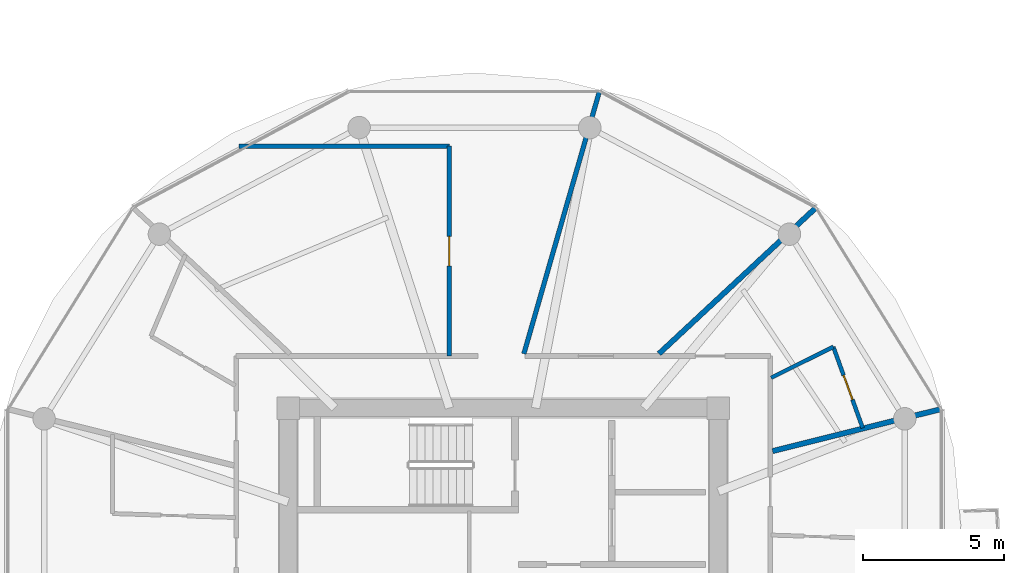
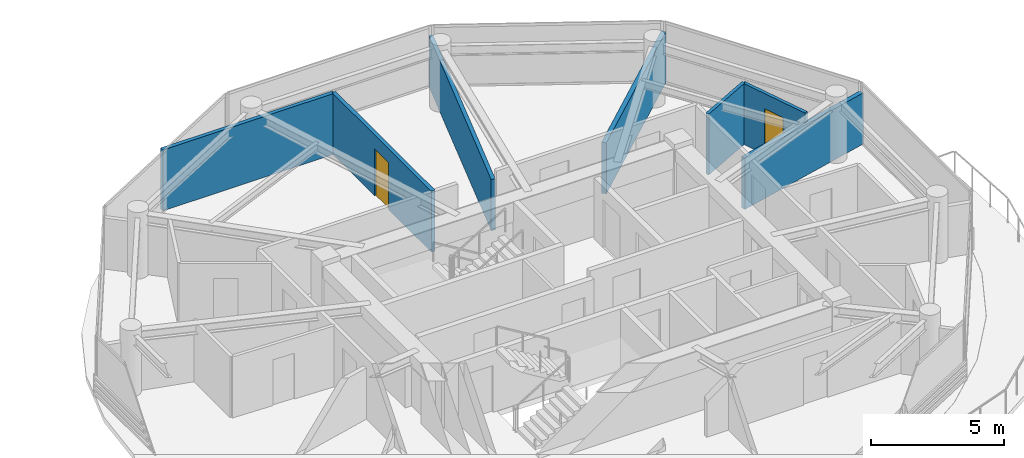
# One storey, part 17 of 22: 7 walls, 2 doors, 2 openings.
"""IFC4 building model written with IfcOpenShell, lengths in metres."""

import ifcopenshell
import ifcopenshell.guid

model = None  # the IFC model being written
_history = None  # IfcOwnerHistory: only IFC2X3 demands one
_inside = {}  # id of a spatial element -> (the spatial element, [elements in it])
_under = {}  # id of a project, library or spatial element -> (it, [spatial elements below it])
_declared = {}  # id of a project -> (the project, [libraries it declares])
_typed = {}  # id of a type object -> (the type object, [elements of that type])
_made_of = {}  # id of a material, layer set ... -> (it, [elements and type objects made of it])


def new_model(schema):
    """Start an empty IFC model of exactly this schema.

    Asked for "IFC4X3", IfcOpenShell would pick the latest addendum, in which some entities
    have other attributes; the version numbers below select the first issue.
    IFC2X3 requires an IfcOwnerHistory on every rooted entity: one is made here for all.
    """
    global model, _history
    if schema == "IFC4X3":
        model = ifcopenshell.file(schema_version=(4, 3, 0, 0))
    else:
        model = ifcopenshell.file(schema=schema)
    _inside.clear()
    _under.clear()
    _declared.clear()
    _typed.clear()
    _made_of.clear()
    _history = None
    if model.schema == "IFC2X3":
        org = make("IfcOrganization", Name="unknown")
        user = make(
            "IfcPersonAndOrganization",
            ThePerson=make("IfcPerson", FamilyName="unknown"),
            TheOrganization=org,
        )
        app = make(
            "IfcApplication",
            ApplicationDeveloper=org,
            Version="unknown",
            ApplicationFullName="unknown",
            ApplicationIdentifier="unknown",
        )
        _history = make(
            "IfcOwnerHistory",
            OwningUser=user,
            OwningApplication=app,
            ChangeAction="ADDED",
            CreationDate=0,
        )
    return model


def make(cls, **values):
    """One entity of the class cls with the attributes given. An attribute that is None is left unset."""
    return model.create_entity(
        cls, **{name: value for name, value in values.items() if value is not None}
    )


def rooted(cls, **values):
    """An entity with a GlobalId (a new one), such as an element, a storey or a relation."""
    return make(cls, GlobalId=ifcopenshell.guid.new(), OwnerHistory=_history, **values)


def si_unit(unit_type, name, prefix=None):
    """IfcSIUnit, for example si_unit("LENGTHUNIT", "METRE", prefix="MILLI")."""
    return make("IfcSIUnit", UnitType=unit_type, Prefix=prefix, Name=name)


def assignment(units):
    """IfcUnitAssignment: the units of a project."""
    return None if units is None else make("IfcUnitAssignment", Units=units)


def point(xyz):
    """IfcCartesianPoint."""
    return None if xyz is None else make("IfcCartesianPoint", Coordinates=xyz)


def direction(xyz):
    """IfcDirection."""
    return None if xyz is None else make("IfcDirection", DirectionRatios=xyz)


def frame(location, z_axis=None, x_axis=None):
    """IfcAxis2Placement3D, a coordinate frame: its origin and axes. An axis left out is left unset."""
    return make(
        "IfcAxis2Placement3D",
        Location=point(location),
        Axis=direction(z_axis),
        RefDirection=direction(x_axis),
    )


def frame_2d(location, x_axis=None):
    """IfcAxis2Placement2D, a coordinate frame in the plane: its origin and x axis."""
    return make(
        "IfcAxis2Placement2D", Location=point(location), RefDirection=direction(x_axis)
    )


def origin():
    """The frame at (0, 0, 0) with its axes left unset."""
    return frame((0.0, 0.0, 0.0))


def place(relative_to, where):
    """IfcLocalPlacement: puts the frame where relative to a parent placement (None: the world)."""
    return make(
        "IfcLocalPlacement", PlacementRelTo=relative_to, RelativePlacement=where
    )


def context(
    kind, dimensions, precision=None, world=None, true_north=None, identifier=None
):
    """IfcGeometricRepresentationContext, for example the 3D "Model" context."""
    return make(
        "IfcGeometricRepresentationContext",
        ContextIdentifier=identifier,
        ContextType=kind,
        CoordinateSpaceDimension=dimensions,
        Precision=precision,
        WorldCoordinateSystem=world,
        TrueNorth=true_north,
    )


def subcontext(parent, identifier, kind, view, scale=None):
    """IfcGeometricRepresentationSubContext, for example "Body" below "Model"."""
    return make(
        "IfcGeometricRepresentationSubContext",
        ContextIdentifier=identifier,
        ContextType=kind,
        ParentContext=parent,
        TargetScale=scale,
        TargetView=view,
    )


def project(units=None, contexts=None):
    """IfcProject with its units and contexts."""
    return rooted(
        "IfcProject",
        Name="project",
        RepresentationContexts=contexts,
        UnitsInContext=assignment(units),
    )


def spatial(cls, under=None, at=None, **own):
    """A site, building, storey or space (cls), placed at a placement, below another one or the project."""
    s = rooted(cls, ObjectPlacement=at, **own)
    if under is not None:
        _under.setdefault(under.id(), (under, []))[1].append(s)
    return s


def profile(cls, at=None, kind="AREA", **sizes):
    """A parametric profile (cls). Its sizes go by their IFC names, for example OverallWidth=200.0."""
    return make(cls, ProfileType=kind, Position=at, **sizes)


def rectangle(**sizes):
    """IfcRectangleProfileDef."""
    return profile("IfcRectangleProfileDef", **sizes)


def extrude(swept, where, along, depth):
    """IfcExtrudedAreaSolid: the profile swept, set in the frame where, extruded along a direction by depth."""
    return make(
        "IfcExtrudedAreaSolid",
        SweptArea=swept,
        Position=where,
        ExtrudedDirection=direction(along),
        Depth=depth,
    )


def shape(context_of_items, identifier, shape_type, items):
    """IfcShapeRepresentation: the items that make up one representation, for example the "Body"."""
    return make(
        "IfcShapeRepresentation",
        ContextOfItems=context_of_items,
        RepresentationIdentifier=identifier,
        RepresentationType=shape_type,
        Items=items,
    )


def source(mapping_origin, context_of_items, identifier, shape_type, items):
    """IfcRepresentationMap: a shape defined once, which mapped items show again and again."""
    return make(
        "IfcRepresentationMap",
        MappingOrigin=mapping_origin,
        MappedRepresentation=shape(context_of_items, identifier, shape_type, items),
    )


def transform(
    local_origin,
    x_axis=None,
    y_axis=None,
    z_axis=None,
    scale=None,
    scale2=None,
    scale3=None,
    uniform=True,
):
    """IfcCartesianTransformationOperator3D, or its non-uniform kind. x_axis, y_axis, z_axis: its Axis1, 2, 3."""
    if uniform:
        return make(
            "IfcCartesianTransformationOperator3D",
            Axis1=direction(x_axis),
            Axis2=direction(y_axis),
            LocalOrigin=point(local_origin),
            Scale=scale,
            Axis3=direction(z_axis),
        )
    return make(
        "IfcCartesianTransformationOperator3DnonUniform",
        Axis1=direction(x_axis),
        Axis2=direction(y_axis),
        LocalOrigin=point(local_origin),
        Scale=scale,
        Axis3=direction(z_axis),
        Scale2=scale2,
        Scale3=scale3,
    )


def mapped(mapping_source, mapping_target):
    """IfcMappedItem: shows the shape of a source again, moved by a transform."""
    return make(
        "IfcMappedItem", MappingSource=mapping_source, MappingTarget=mapping_target
    )


def material(Name=None, Category=None):
    """IfcMaterial."""
    return make("IfcMaterial", Name=Name, Category=Category)


def layer(
    of_material, thickness, ventilated=None, Name=None, Category=None, Priority=None
):
    """IfcMaterialLayer: one layer of a wall or slab, of a material (None: an air gap)."""
    return make(
        "IfcMaterialLayer",
        Material=of_material,
        LayerThickness=thickness,
        IsVentilated=ventilated,
        Name=Name,
        Category=Category,
        Priority=Priority,
    )


def layer_set(layers, Name=None):
    """IfcMaterialLayerSet."""
    return make("IfcMaterialLayerSet", MaterialLayers=layers, LayerSetName=Name)


def made_of(thing, what):
    """Note that an element or type object is made of a material, layer set ...; save() writes the relation."""
    if what is not None:
        _made_of.setdefault(what.id(), (what, []))[1].append(thing)
    return thing


def type_object(cls, material=None, **own):
    """A type object (cls), such as IfcWallType, which elements share."""
    return made_of(rooted(cls, **own), material)


def type_shapes(of_type, sources):
    """Give a type object the sources (RepresentationMaps) that its elements show as mapped items."""
    of_type.RepresentationMaps = sources


def element(
    cls,
    number,
    at=None,
    inside=None,
    cuts=None,
    type_object=None,
    material=None,
    context=None,
    identifier="Body",
    shape_type=None,
    held_by="IfcProductDefinitionShape",
    body=None,
    shapes=None,
    **own,
):
    """One element of the class cls, such as IfcWall. Its Tag is "e" and its number.

    at: its placement. inside: the storey or other place that contains it. cuts: it is an
    opening in that element (IfcRelVoidsElement). A single representation is given by context,
    identifier, shape_type and body (its items); several are given by shapes. held_by: the class
    of the entity that holds the representations. save() writes the other relations.
    """
    e = rooted(cls, Tag="e%d" % number, ObjectPlacement=at, **own)
    if body is not None:
        shapes = [shape(context, identifier, shape_type, body)]
    if shapes is not None:
        e.Representation = make(held_by, Representations=shapes)
    if inside is not None:
        _inside.setdefault(inside.id(), (inside, []))[1].append(e)
    if cuts is not None:
        rooted(
            "IfcRelVoidsElement", RelatingBuildingElement=cuts, RelatedOpeningElement=e
        )
    if type_object is not None:
        _typed.setdefault(type_object.id(), (type_object, []))[1].append(e)
    return made_of(e, material)


def fill(opening, filler):
    """IfcRelFillsElement: the door or window that sits in an opening."""
    return rooted(
        "IfcRelFillsElement",
        RelatingOpeningElement=opening,
        RelatedBuildingElement=filler,
    )


def aggregate(whole, parts):
    """IfcRelAggregates: a whole, such as a stair, and the parts it consists of."""
    return rooted("IfcRelAggregates", RelatingObject=whole, RelatedObjects=parts)


def save(model, path):
    """Write the relations noted so far, then the file.

    IfcRelAggregates (storeys below a building ...), IfcRelContainedInSpatialStructure (elements
    in a storey), IfcRelDefinesByType, IfcRelAssociatesMaterial and IfcRelDeclares: one each for
    every whole, place, type object, material and project.
    """
    for whole, parts in _under.values():
        aggregate(whole, parts)
    for where, things in _inside.values():
        rooted(
            "IfcRelContainedInSpatialStructure",
            RelatedElements=things,
            RelatingStructure=where,
        )
    for kind, things in _typed.values():
        rooted("IfcRelDefinesByType", RelatedObjects=things, RelatingType=kind)
    for what, things in _made_of.values():
        rooted("IfcRelAssociatesMaterial", RelatedObjects=things, RelatingMaterial=what)
    for by, libraries in _declared.values():
        rooted("IfcRelDeclares", RelatingContext=by, RelatedDefinitions=libraries)
    model.write(path)


model = new_model("IFC4")

# Units and contexts
model_context = context("Model", 3, precision=1e-05, world=origin(), true_north=direction((0.0, 1.0)))
body_context = subcontext(model_context, "Body", "Model", "MODEL_VIEW")
ifc_project = project(units=[si_unit("LENGTHUNIT", "METRE"), si_unit("AREAUNIT", "SQUARE_METRE"), si_unit("VOLUMEUNIT", "CUBIC_METRE"), si_unit("PLANEANGLEUNIT", "RADIAN"), si_unit("MASSUNIT", "GRAM", prefix="KILO")], contexts=[model_context])

# Site, building, storey
site_placement = place(None, origin())
site = spatial("IfcSite", under=ifc_project, at=site_placement, CompositionType="ELEMENT")
building_placement = place(site_placement, origin())
building = spatial("IfcBuilding", under=site, at=building_placement, Name="Norrkilde Senior Care Towers", CompositionType="ELEMENT")
storey_placement = place(building_placement, frame((0.0, 0.0, 152.60009765625)))
storey = spatial("IfcBuildingStorey", under=building, at=storey_placement, Name="L47", CompositionType="ELEMENT", Elevation=152.60009765625)

# Walls
ifc_material_1 = material(Name="Gypsum Acoustic Board")
ifc_layer_1 = layer(ifc_material_1, 0.1650390625)
ifc_layer_set_1 = layer_set([ifc_layer_1], Name="Gypsum Acoustic Board")
wall_type_1 = type_object("IfcWallType", Name="Corridor Rated Partition 165", PredefinedType="PARTITIONING", material=ifc_layer_set_1)
shared_shape_1 = source(origin(), body_context, "Body", "SweptSolid", [
    extrude(rectangle(XDim=9.73046875, YDim=0.1650390625, at=frame_2d((4.865234375, 0.0))), origin(), (0.0, 0.0, 1.0), 2.344970703125),
])
wall_1_placement = place(storey_placement, frame((28.7333984375, 7.8798828125, 0.0), z_axis=(0.0, 0.0, 1.0), x_axis=(0.27679492614, 0.960929013436, 0.0)))
element("IfcWall", 1, at=wall_1_placement, inside=storey, type_object=wall_type_1, Name="WL-INT-L47-E-DEM-02-0", PredefinedType="PARTITIONING", context=body_context, shape_type="MappedRepresentation", body=[
    mapped(shared_shape_1, transform((0.0, 0.0, 0.0), x_axis=(1.0, 0.0, 0.0), y_axis=(0.0, 1.0, 0.0), z_axis=(0.0, 0.0, 1.0), scale=1.0)),
])
ifc_layer_2 = layer(ifc_material_1, 0.18994140625)
ifc_layer_set_2 = layer_set([ifc_layer_2], Name="Gypsum Acoustic Board")
wall_type_2 = type_object("IfcWallType", Name="Unit Demising Acoustic Wall 190", PredefinedType="PARTITIONING", material=ifc_layer_set_2)
shared_shape_2 = source(origin(), body_context, "Body", "SweptSolid", [
    extrude(rectangle(XDim=6.192626953125, YDim=0.18994140625, at=frame_2d((3.09619140625, 0.0))), origin(), (0.0, 0.0, 1.0), 2.344970703125),
])
wall_2_placement = place(storey_placement, frame((37.580078125, 4.418701171875, 0.0), z_axis=(0.0, 0.0, 1.0), x_axis=(0.970309243466, 0.241867674657, 0.0)))
element("IfcWall", 2, at=wall_2_placement, inside=storey, type_object=wall_type_2, Name="WL-INT-L47-E-DEM-00-0", PredefinedType="PARTITIONING", context=body_context, shape_type="MappedRepresentation", body=[
    mapped(shared_shape_2, transform((0.0, 0.0, 0.0), x_axis=(1.0, 0.0, 0.0), y_axis=(0.0, 1.0, 0.0), z_axis=(0.0, 0.0, 1.0), scale=1.0)),
])
shared_shape_3 = source(origin(), body_context, "Body", "SweptSolid", [
    extrude(rectangle(XDim=7.64794921875, YDim=0.18994140625, at=frame_2d((3.823974609375, 0.0))), origin(), (0.0, 0.0, 1.0), 2.344970703125),
])
type_shapes(wall_type_2, [shared_shape_2, shared_shape_3])
wall_3_placement = place(storey_placement, frame((33.53759765625, 7.8798828125, 0.0), z_axis=(0.0, 0.0, 1.0), x_axis=(0.732167856666, 0.681124239522, 0.0)))
element("IfcWall", 3, at=wall_3_placement, inside=storey, type_object=wall_type_2, Name="WL-INT-L47-E-DEM-01-0", PredefinedType="PARTITIONING", context=body_context, shape_type="MappedRepresentation", body=[
    mapped(shared_shape_3, transform((0.0, 0.0, 0.0), x_axis=(1.0, 0.0, 0.0), y_axis=(0.0, 1.0, 0.0), z_axis=(0.0, 0.0, 1.0), scale=1.0)),
])

# Wall, opening, door
shared_shape_4 = source(origin(), body_context, "Body", "SweptSolid", [
    extrude(rectangle(XDim=7.46533203125, YDim=0.1650390625, at=frame_2d((3.732666015625, 0.0))), origin(), (0.0, 0.0, 1.0), 2.794921875),
])
wall_4_placement = place(storey_placement, frame((26.080078125, 7.800048828125, 0.0), z_axis=(0.0, 0.0, 1.0), x_axis=(0.0, 1.0, 0.0)))
wall_4 = element("IfcWall", 4, at=wall_4_placement, inside=storey, type_object=wall_type_1, Name="WL-INT-L47-E-PKW-NWL", PredefinedType="PARTITIONING", context=body_context, shape_type="MappedRepresentation", body=[
    mapped(shared_shape_4, transform((0.0, 0.0, 0.0), x_axis=(1.0, 0.0, 0.0), y_axis=(0.0, 1.0, 0.0), z_axis=(0.0, 0.0, 1.0), scale=1.0)),
])
opening_1_placement = place(wall_4_placement, frame((3.207763671875, 0.0, 0.0)))
opening_1 = element("IfcOpeningElement", 5, at=opening_1_placement, cuts=wall_4, Name="Opening D-06", PredefinedType="OPENING", context=body_context, shape_type="SweptSolid", body=[
    extrude(rectangle(XDim=1.050048828125, YDim=2.14990234375, at=frame_2d((0.52490234375, 1.074951171875))), frame((0.0, 0.092529296875, 0.0), z_axis=(0.0, -1.0, 0.0), x_axis=(1.0, 0.0, 0.0)), (0.0, 0.0, 1.0), 0.18505859375),
])
ifc_material_2 = material(Name="Nordic Ash Timber", Category="wood")
door_type_1 = type_object("IfcDoorType", Name="Apartment Entrance Fire Door 1050x2150", OperationType="NOTDEFINED", PredefinedType="DOOR", material=ifc_material_2)
shared_shape_5 = source(origin(), body_context, "Body", "SweptSolid", [
    extrude(rectangle(XDim=1.050048828125, YDim=2.14990234375, at=frame_2d((0.52490234375, 1.074951171875))), frame((0.0, 0.02490234375, 0.0), z_axis=(0.0, -1.0, 0.0), x_axis=(1.0, 0.0, 0.0)), (0.0, 0.0, 1.0), 0.050048828125),
])
type_shapes(door_type_1, [shared_shape_5])
door_1_placement = place(opening_1_placement, frame((1.050048828125, 0.0, 0.0), z_axis=(0.0, 0.0, 1.0), x_axis=(-1.0, 0.0, 0.0)))
door_1 = element("IfcDoor", 6, at=door_1_placement, inside=storey, type_object=door_type_1, Name="L47 Reading Lounge NWL Door", OperationType="SINGLE_SWING_RIGHT", OverallHeight=2.14990234375, OverallWidth=1.050048828125, PredefinedType="DOOR", context=body_context, shape_type="MappedRepresentation", body=[
    mapped(shared_shape_5, transform((0.0, 0.0, 0.0), x_axis=(1.0, 0.0, 0.0), y_axis=(0.0, 1.0, 0.0), z_axis=(0.0, 0.0, 1.0), scale=1.0)),
])
fill(opening_1, door_1)

# Walls
shared_shape_6 = source(origin(), body_context, "Body", "SweptSolid", [
    extrude(rectangle(XDim=7.47314453125, YDim=0.1650390625, at=frame_2d((3.736572265625, 0.0))), origin(), (0.0, 0.0, 1.0), 2.794921875),
])
type_shapes(wall_type_1, [shared_shape_1, shared_shape_4, shared_shape_6])
wall_5_placement = place(storey_placement, frame((18.60693359375, 15.265380859375, 0.0), z_axis=(0.0, 0.0, 1.0), x_axis=(1.0, 0.0, 0.0)))
element("IfcWall", 7, at=wall_5_placement, inside=storey, type_object=wall_type_1, Name="WL-INT-L47-E-PKH-NWL-0", PredefinedType="PARTITIONING", context=body_context, shape_type="MappedRepresentation", body=[
    mapped(shared_shape_6, transform((0.0, 0.0, 0.0), x_axis=(1.0, 0.0, 0.0), y_axis=(0.0, 1.0, 0.0), z_axis=(0.0, 0.0, 1.0), scale=1.0)),
])
ifc_layer_3 = layer(ifc_material_1, 0.139892578125)
ifc_layer_set_3 = layer_set([ifc_layer_3], Name="Gypsum Acoustic Board")
wall_type_3 = type_object("IfcWallType", Name="En-suite Wet Room Wall 140", PredefinedType="PARTITIONING", material=ifc_layer_set_3)
shared_shape_7 = source(origin(), body_context, "Body", "SweptSolid", [
    extrude(rectangle(XDim=2.470703125, YDim=0.139892578125, at=frame_2d((1.2353515625, 0.0))), origin(), (0.0, 0.0, 1.0), 2.794921875),
])
wall_6_placement = place(storey_placement, frame((37.530029296875, 7.026123046875, 0.0), z_axis=(0.0, 0.0, 1.0), x_axis=(0.895295102372, 0.445473545419, 0.0)))
element("IfcWall", 8, at=wall_6_placement, inside=storey, type_object=wall_type_3, Name="WL-INT-L47-E-ES-00", PredefinedType="PARTITIONING", context=body_context, shape_type="MappedRepresentation", body=[
    mapped(shared_shape_7, transform((0.0, 0.0, 0.0), x_axis=(1.0, 0.0, 0.0), y_axis=(0.0, 1.0, 0.0), z_axis=(0.0, 0.0, 1.0), scale=1.0)),
])

# Wall, opening, door
shared_shape_8 = source(origin(), body_context, "Body", "SweptSolid", [
    extrude(rectangle(XDim=3.072265625, YDim=0.139892578125, at=frame_2d((1.5361328125, 0.0))), origin(), (0.0, 0.0, 1.0), 2.794921875),
])
type_shapes(wall_type_3, [shared_shape_7, shared_shape_8])
wall_7_placement = place(storey_placement, frame((39.741943359375, 8.126708984375, 0.0), z_axis=(0.0, 0.0, 1.0), x_axis=(0.340913456846, -0.94009468403, 0.0)))
wall_7 = element("IfcWall", 9, at=wall_7_placement, inside=storey, type_object=wall_type_3, Name="WL-INT-L47-E-EF-00", PredefinedType="PARTITIONING", context=body_context, shape_type="MappedRepresentation", body=[
    mapped(shared_shape_8, transform((0.0, 0.0, 0.0), x_axis=(1.0, 0.0, 0.0), y_axis=(0.0, 1.0, 0.0), z_axis=(0.0, 0.0, 1.0), scale=1.0)),
])
opening_2_placement = place(wall_7_placement, frame((1.075927734375, 0.0, 0.0)))
opening_2 = element("IfcOpeningElement", 10, at=opening_2_placement, cuts=wall_7, Name="Opening D-08", PredefinedType="OPENING", context=body_context, shape_type="SweptSolid", body=[
    extrude(rectangle(XDim=0.919921875, YDim=2.10009765625, at=frame_2d((0.4599609375, 1.050048828125))), frame((0.0, 0.079833984375, 0.0), z_axis=(0.0, -1.0, 0.0), x_axis=(1.0, 0.0, 0.0)), (0.0, 0.0, 1.0), 0.159912109375),
])
door_type_2 = type_object("IfcDoorType", Name="Accessible Wet Room Door 920x2100", OperationType="NOTDEFINED", PredefinedType="DOOR", material=ifc_material_2)
shared_shape_9 = source(origin(), body_context, "Body", "SweptSolid", [
    extrude(rectangle(XDim=0.919921875, YDim=2.10009765625, at=frame_2d((0.4599609375, 1.050048828125))), frame((0.0, 0.02490234375, 0.0), z_axis=(0.0, -1.0, 0.0), x_axis=(1.0, 0.0, 0.0)), (0.0, 0.0, 1.0), 0.050048828125),
])
type_shapes(door_type_2, [shared_shape_9])
door_2_placement = place(opening_2_placement, origin())
door_2 = element("IfcDoor", 11, at=door_2_placement, inside=storey, type_object=door_type_2, Name="L47 Studio 47G Bathroom Door", OperationType="SINGLE_SWING_RIGHT", OverallHeight=2.10009765625, OverallWidth=0.919921875, PredefinedType="DOOR", context=body_context, shape_type="MappedRepresentation", body=[
    mapped(shared_shape_9, transform((0.0, 0.0, 0.0), x_axis=(1.0, 0.0, 0.0), y_axis=(0.0, 1.0, 0.0), z_axis=(0.0, 0.0, 1.0), scale=1.0)),
])
fill(opening_2, door_2)

save(model, "model.ifc")
